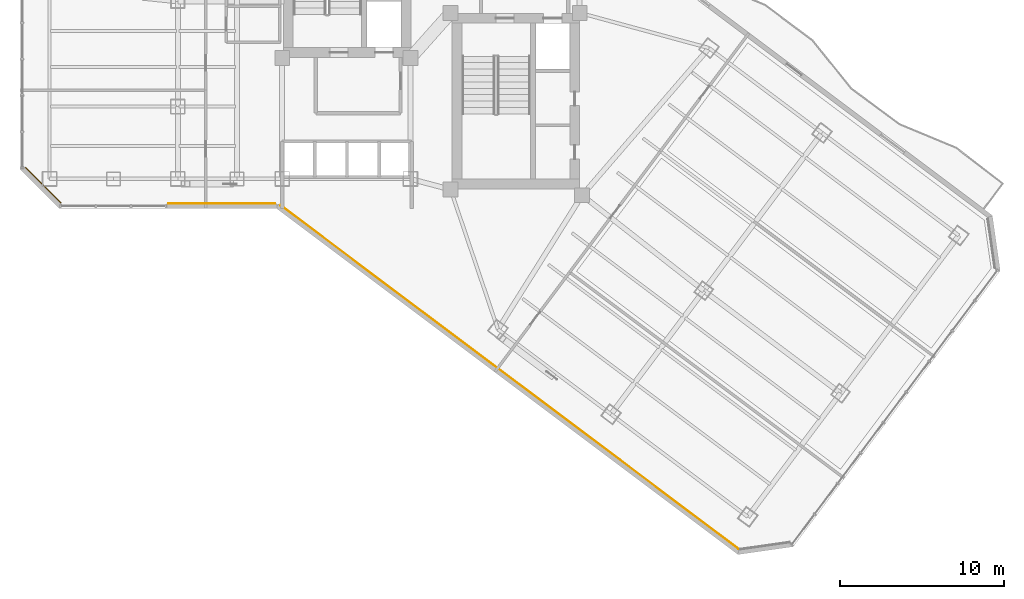
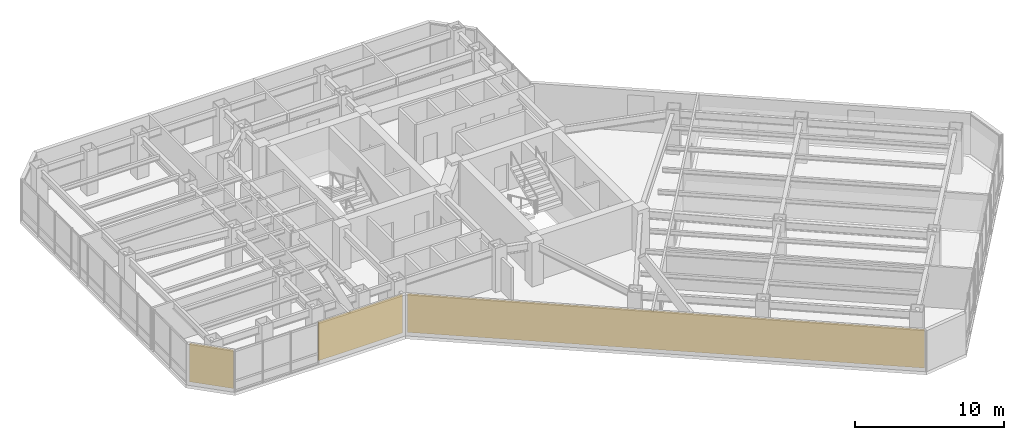
# One storey, part 26 of 30: 3 coverings.
"""IFC4 building model written with IfcOpenShell, lengths in metres."""

from ifc_helpers import new_model, si_unit, direction, frame, origin, origin_2d, place, context, subcontext, project, spatial, rectangle, extrude, material, layer, layer_set, type_object, element, save


model = new_model("IFC4")

# Units and contexts
model_context = context("Model", 3, precision=1e-05, world=origin(), true_north=direction((0.0, 1.0)))
body_context = subcontext(model_context, "Body", "Model", "MODEL_VIEW")
ifc_project = project(units=[si_unit("LENGTHUNIT", "METRE"), si_unit("AREAUNIT", "SQUARE_METRE"), si_unit("VOLUMEUNIT", "CUBIC_METRE"), si_unit("PLANEANGLEUNIT", "RADIAN"), si_unit("MASSUNIT", "GRAM", prefix="KILO")], contexts=[model_context])

# Site, building, storey
site_placement = place(None, origin())
site = spatial("IfcSite", under=ifc_project, at=site_placement, CompositionType="ELEMENT")
building_placement = place(site_placement, origin())
building = spatial("IfcBuilding", under=site, at=building_placement, Name="Hatsunagi Terrace Concourse", CompositionType="ELEMENT")
storey_placement = place(building_placement, frame((0.0, 0.0, 101.25)))
storey = spatial("IfcBuildingStorey", under=building, at=storey_placement, Name="L26", CompositionType="ELEMENT", Elevation=101.25)

# Coverings
ifc_material = material(Name="Unglazed Warm Terracotta Rainscreen Tile", Category="masonry")
ifc_layer = layer(ifc_material, 0.044921875)
ifc_layer_set = layer_set([ifc_layer], Name="TerracottaRainscreenCladding_45")
covering_type = type_object("IfcCoveringType", Name="TerracottaRainscreenCladding_45", PredefinedType="CLADDING", material=ifc_layer_set)
covering_1_placement = place(storey_placement, frame((39.3798828125, 13.14306640625, 0.10009765625), z_axis=(0.0, 0.0, 1.0), x_axis=(-0.800003116929, 0.599995844072, 0.0)))
element("IfcCovering", 1, at=covering_1_placement, inside=storey, type_object=covering_type, Name="Terracotta Rainscreen Cladding L26-05", PredefinedType="CLADDING", context=body_context, shape_type="SweptSolid", body=[
    extrude(rectangle(XDim=34.84912109375, YDim=0.044921875, at=origin_2d()), origin(), (0.0, 0.0, 1.0), 3.14990234375),
])
covering_2_placement = place(storey_placement, frame((21.873046875, 23.701904296875, 0.10009765625), z_axis=(0.0, 0.0, 1.0), x_axis=(-1.0, 0.0, 0.0)))
element("IfcCovering", 2, at=covering_2_placement, inside=storey, type_object=covering_type, Name="Terracotta Rainscreen Cladding L26-06", PredefinedType="CLADDING", context=body_context, shape_type="SweptSolid", body=[
    extrude(rectangle(XDim=6.507080078125, YDim=0.044921875, at=origin_2d()), origin(), (0.0, 0.0, 1.0), 3.14990234375),
])
covering_3_placement = place(storey_placement, frame((11.013916015625, 24.81396484375, 0.10009765625), z_axis=(0.0, 0.0, 1.0), x_axis=(-0.707106781187, 0.707106781187, 0.0)))
element("IfcCovering", 3, at=covering_3_placement, inside=storey, type_object=covering_type, Name="Terracotta Rainscreen Cladding L26-08", PredefinedType="CLADDING", context=body_context, shape_type="SweptSolid", body=[
    extrude(rectangle(XDim=3.0380859375, YDim=0.044921875, at=origin_2d()), origin(), (0.0, 0.0, 1.0), 3.14990234375),
])

save(model, "model.ifc")
